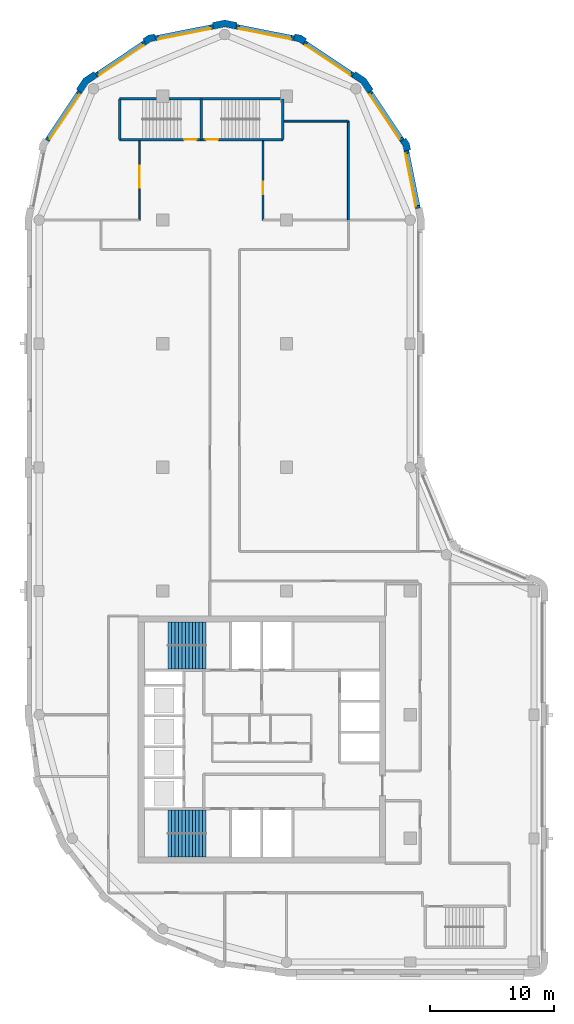
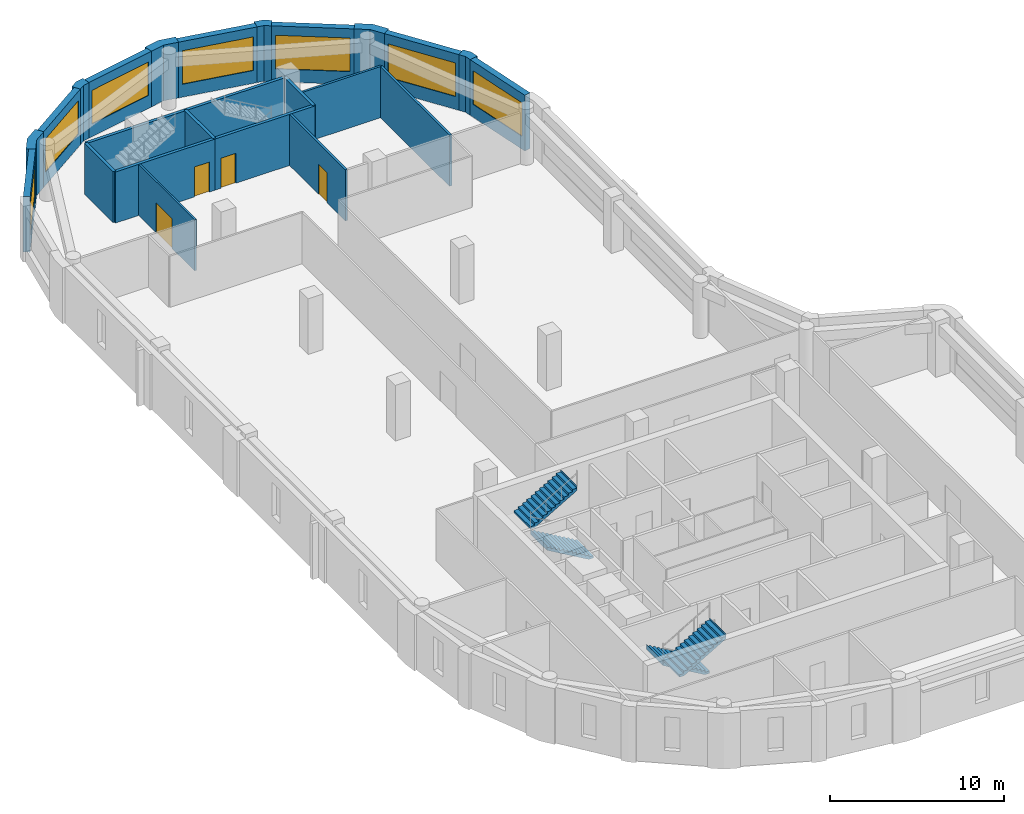
# One storey, part 5 of 8: 24 walls, 7 windows, 4 doors, 4 stair flights, 11 openings, 2 elements without a shape of their own.
"""IFC4 building model written with IfcOpenShell, lengths in metres."""

from ifc_helpers import new_model, si_unit, direction, frame, frame_2d, origin, place, context, subcontext, project, spatial, polyline, rectangle, outline, extrude, material, layer, layer_set, type_object, element, fill, aggregate, save


model = new_model("IFC4")

# Units and contexts
model_context = context("Model", 3, precision=1e-05, world=origin(), true_north=direction((0.0, 1.0)))
body_context = subcontext(model_context, "Body", "Model", "MODEL_VIEW")
ifc_project = project(units=[si_unit("LENGTHUNIT", "METRE"), si_unit("AREAUNIT", "SQUARE_METRE"), si_unit("VOLUMEUNIT", "CUBIC_METRE"), si_unit("PLANEANGLEUNIT", "RADIAN"), si_unit("MASSUNIT", "GRAM", prefix="KILO")], contexts=[model_context])

# Site, building, storey
site_placement = place(None, origin())
site = spatial("IfcSite", under=ifc_project, at=site_placement, CompositionType="ELEMENT")
building_placement = place(site_placement, origin())
building = spatial("IfcBuilding", under=site, at=building_placement, Name="Qaws Garden Tower", CompositionType="ELEMENT")
storey_placement = place(building_placement, frame((0.0, 0.0, 286.5)))
storey = spatial("IfcBuildingStorey", under=building, at=storey_placement, Name="L69", CompositionType="ELEMENT", Elevation=286.5)

# Wall, opening, window
ifc_material_1 = material(Name="Clay facing brick masonry", Category="masonry")
ifc_layer_1 = layer(ifc_material_1, 0.39990234375)
ifc_layer_set_1 = layer_set([ifc_layer_1], Name="Clay facing brick masonry")
wall_type_1 = type_object("IfcWallType", Name="Brick infill wall 400", PredefinedType="SOLIDWALL", material=ifc_layer_set_1)
wall_1_placement = place(storey_placement, frame((30.628662109375, 60.940673828125, 0.0), z_axis=(0.0, 0.0, 1.0), x_axis=(-0.195098533057, 0.98078364709, 0.0)))
wall_1 = element("IfcWall", 1, at=wall_1_placement, inside=storey, type_object=wall_type_1, Name="E-L69-infill-09", PredefinedType="SOLIDWALL", context=body_context, shape_type="SweptSolid", body=[
    extrude(rectangle(XDim=4.752685546875, YDim=0.39990234375, at=frame_2d((2.37646484375, 0.0))), origin(), (0.0, 0.0, 1.0), 3.89990234375),
])
opening_1_placement = place(wall_1_placement, frame((0.226318359375, 0.0, 0.89990234375)))
opening_1 = element("IfcOpeningElement", 2, at=opening_1_placement, cuts=wall_1, Name="Opening W06", PredefinedType="OPENING", context=body_context, shape_type="SweptSolid", body=[
    extrude(rectangle(XDim=4.300048828125, YDim=2.35009765625, at=frame_2d((2.14990234375, 1.175048828125))), frame((0.0, 0.2099609375, 0.0), z_axis=(0.0, -1.0, 0.0), x_axis=(1.0, 0.0, 0.0)), (0.0, 0.0, 1.0), 0.419921875),
])
ifc_material_2 = material(Name="Aluminium framed window, clear glazing", Category="aluminium")
window_type = type_object("IfcWindowType", Name="Ribbon window 4300 x 2350", PartitioningType="DOUBLE_PANEL_VERTICAL", PredefinedType="WINDOW", material=ifc_material_2)
window_1_placement = place(opening_1_placement, origin())
window_1 = element("IfcWindow", 3, at=window_1_placement, inside=storey, type_object=window_type, Name="E-L69-window-09-0", OverallHeight=2.35009765625, OverallWidth=4.300048828125, PartitioningType="SINGLE_PANEL", PredefinedType="WINDOW", context=body_context, shape_type="SweptSolid", body=[
    extrude(rectangle(XDim=4.300048828125, YDim=2.35009765625, at=frame_2d((2.14990234375, 1.175048828125))), frame((0.0, 0.159912109375, 0.0), z_axis=(0.0, -1.0, 0.0), x_axis=(1.0, 0.0, 0.0)), (0.0, 0.0, 1.0), 0.06005859375),
])
fill(opening_1, window_1)

wall_2_placement = place(storey_placement, frame((29.356689453125, 66.43408203125, 0.0), z_axis=(0.0, 0.0, 1.0), x_axis=(-0.555541552266, 0.831488775454, 0.0)))
wall_2 = element("IfcWall", 4, at=wall_2_placement, inside=storey, type_object=wall_type_1, Name="E-L69-infill-10", PredefinedType="SOLIDWALL", context=body_context, shape_type="SweptSolid", body=[
    extrude(rectangle(XDim=4.752685546875, YDim=0.39990234375, at=frame_2d((2.37646484375, 0.0))), origin(), (0.0, 0.0, 1.0), 3.89990234375),
])
opening_2_placement = place(wall_2_placement, frame((0.226318359375, 0.0, 0.89990234375)))
opening_2 = element("IfcOpeningElement", 5, at=opening_2_placement, cuts=wall_2, Name="Opening W06", PredefinedType="OPENING", context=body_context, shape_type="SweptSolid", body=[
    extrude(rectangle(XDim=4.300048828125, YDim=2.35009765625, at=frame_2d((2.14990234375, 1.175048828125))), frame((0.0, 0.2099609375, 0.0), z_axis=(0.0, -1.0, 0.0), x_axis=(1.0, 0.0, 0.0)), (0.0, 0.0, 1.0), 0.419921875),
])
window_2_placement = place(opening_2_placement, origin())
window_2 = element("IfcWindow", 6, at=window_2_placement, inside=storey, type_object=window_type, Name="E-L69-window-10-0", OverallHeight=2.35009765625, OverallWidth=4.300048828125, PartitioningType="SINGLE_PANEL", PredefinedType="WINDOW", context=body_context, shape_type="SweptSolid", body=[
    extrude(rectangle(XDim=4.300048828125, YDim=2.35009765625, at=frame_2d((2.14990234375, 1.175048828125))), frame((0.0, 0.159912109375, 0.0), z_axis=(0.0, -1.0, 0.0), x_axis=(1.0, 0.0, 0.0)), (0.0, 0.0, 1.0), 0.06005859375),
])
fill(opening_2, window_2)

wall_3_placement = place(storey_placement, frame((25.385986328125, 71.71630859375, 0.0), z_axis=(0.0, 0.0, 1.0), x_axis=(-0.831488775454, 0.555541552266, 0.0)))
wall_3 = element("IfcWall", 7, at=wall_3_placement, inside=storey, type_object=wall_type_1, Name="E-L69-infill-11", PredefinedType="SOLIDWALL", context=body_context, shape_type="SweptSolid", body=[
    extrude(rectangle(XDim=4.752685546875, YDim=0.39990234375, at=frame_2d((2.37646484375, 0.0))), origin(), (0.0, 0.0, 1.0), 3.89990234375),
])
opening_3_placement = place(wall_3_placement, frame((0.226318359375, 0.0, 0.89990234375)))
opening_3 = element("IfcOpeningElement", 8, at=opening_3_placement, cuts=wall_3, Name="Opening W06", PredefinedType="OPENING", context=body_context, shape_type="SweptSolid", body=[
    extrude(rectangle(XDim=4.300048828125, YDim=2.35009765625, at=frame_2d((2.14990234375, 1.175048828125))), frame((0.0, 0.2099609375, 0.0), z_axis=(0.0, -1.0, 0.0), x_axis=(1.0, 0.0, 0.0)), (0.0, 0.0, 1.0), 0.419921875),
])
window_3_placement = place(opening_3_placement, origin())
window_3 = element("IfcWindow", 9, at=window_3_placement, inside=storey, type_object=window_type, Name="E-L69-window-11-0", OverallHeight=2.35009765625, OverallWidth=4.300048828125, PartitioningType="SINGLE_PANEL", PredefinedType="WINDOW", context=body_context, shape_type="SweptSolid", body=[
    extrude(rectangle(XDim=4.300048828125, YDim=2.35009765625, at=frame_2d((2.14990234375, 1.175048828125))), frame((0.0, 0.159912109375, 0.0), z_axis=(0.0, -1.0, 0.0), x_axis=(1.0, 0.0, 0.0)), (0.0, 0.0, 1.0), 0.06005859375),
])
fill(opening_3, window_3)

wall_4_placement = place(storey_placement, frame((20.60205078125, 74.701416015625, 0.0), z_axis=(0.0, 0.0, 1.0), x_axis=(-0.98078364709, 0.195098533057, 0.0)))
wall_4 = element("IfcWall", 10, at=wall_4_placement, inside=storey, type_object=wall_type_1, Name="E-L69-infill-12", PredefinedType="SOLIDWALL", context=body_context, shape_type="SweptSolid", body=[
    extrude(rectangle(XDim=4.752685546875, YDim=0.39990234375, at=frame_2d((2.37646484375, 0.0))), origin(), (0.0, 0.0, 1.0), 3.89990234375),
])
opening_4_placement = place(wall_4_placement, frame((0.226318359375, 0.0, 0.89990234375)))
opening_4 = element("IfcOpeningElement", 11, at=opening_4_placement, cuts=wall_4, Name="Opening W06", PredefinedType="OPENING", context=body_context, shape_type="SweptSolid", body=[
    extrude(rectangle(XDim=4.300048828125, YDim=2.35009765625, at=frame_2d((2.14990234375, 1.175048828125))), frame((0.0, 0.2099609375, 0.0), z_axis=(0.0, -1.0, 0.0), x_axis=(1.0, 0.0, 0.0)), (0.0, 0.0, 1.0), 0.419921875),
])
window_4_placement = place(opening_4_placement, origin())
window_4 = element("IfcWindow", 12, at=window_4_placement, inside=storey, type_object=window_type, Name="E-L69-window-12-0", OverallHeight=2.35009765625, OverallWidth=4.300048828125, PartitioningType="SINGLE_PANEL", PredefinedType="WINDOW", context=body_context, shape_type="SweptSolid", body=[
    extrude(rectangle(XDim=4.300048828125, YDim=2.35009765625, at=frame_2d((2.14990234375, 1.175048828125))), frame((0.0, 0.159912109375, 0.0), z_axis=(0.0, -1.0, 0.0), x_axis=(1.0, 0.0, 0.0)), (0.0, 0.0, 1.0), 0.06005859375),
])
fill(opening_4, window_4)

wall_5_placement = place(storey_placement, frame((14.059326171875, 75.628662109375, 0.0), z_axis=(0.0, 0.0, 1.0), x_axis=(-0.98078364709, -0.195098533057, 0.0)))
wall_5 = element("IfcWall", 13, at=wall_5_placement, inside=storey, type_object=wall_type_1, Name="E-L69-infill-13", PredefinedType="SOLIDWALL", context=body_context, shape_type="SweptSolid", body=[
    extrude(rectangle(XDim=4.752685546875, YDim=0.39990234375, at=frame_2d((2.37646484375, 0.0))), origin(), (0.0, 0.0, 1.0), 3.89990234375),
])
opening_5_placement = place(wall_5_placement, frame((0.226318359375, 0.0, 0.89990234375)))
opening_5 = element("IfcOpeningElement", 14, at=opening_5_placement, cuts=wall_5, Name="Opening W06", PredefinedType="OPENING", context=body_context, shape_type="SweptSolid", body=[
    extrude(rectangle(XDim=4.300048828125, YDim=2.35009765625, at=frame_2d((2.14990234375, 1.175048828125))), frame((0.0, 0.2099609375, 0.0), z_axis=(0.0, -1.0, 0.0), x_axis=(1.0, 0.0, 0.0)), (0.0, 0.0, 1.0), 0.419921875),
])
window_5_placement = place(opening_5_placement, origin())
window_5 = element("IfcWindow", 15, at=window_5_placement, inside=storey, type_object=window_type, Name="E-L69-window-13-0", OverallHeight=2.35009765625, OverallWidth=4.300048828125, PartitioningType="SINGLE_PANEL", PredefinedType="WINDOW", context=body_context, shape_type="SweptSolid", body=[
    extrude(rectangle(XDim=4.300048828125, YDim=2.35009765625, at=frame_2d((2.14990234375, 1.175048828125))), frame((0.0, 0.159912109375, 0.0), z_axis=(0.0, -1.0, 0.0), x_axis=(1.0, 0.0, 0.0)), (0.0, 0.0, 1.0), 0.06005859375),
])
fill(opening_5, window_5)

wall_6_placement = place(storey_placement, frame((8.56591796875, 74.356689453125, 0.0), z_axis=(0.0, 0.0, 1.0), x_axis=(-0.831488775454, -0.555541552266, 0.0)))
wall_6 = element("IfcWall", 16, at=wall_6_placement, inside=storey, type_object=wall_type_1, Name="E-L69-infill-14", PredefinedType="SOLIDWALL", context=body_context, shape_type="SweptSolid", body=[
    extrude(rectangle(XDim=4.752685546875, YDim=0.39990234375, at=frame_2d((2.37646484375, 0.0))), origin(), (0.0, 0.0, 1.0), 3.89990234375),
])
opening_6_placement = place(wall_6_placement, frame((0.226318359375, 0.0, 0.89990234375)))
opening_6 = element("IfcOpeningElement", 17, at=opening_6_placement, cuts=wall_6, Name="Opening W06", PredefinedType="OPENING", context=body_context, shape_type="SweptSolid", body=[
    extrude(rectangle(XDim=4.300048828125, YDim=2.35009765625, at=frame_2d((2.14990234375, 1.175048828125))), frame((0.0, 0.2099609375, 0.0), z_axis=(0.0, -1.0, 0.0), x_axis=(1.0, 0.0, 0.0)), (0.0, 0.0, 1.0), 0.419921875),
])
window_6_placement = place(opening_6_placement, origin())
window_6 = element("IfcWindow", 18, at=window_6_placement, inside=storey, type_object=window_type, Name="E-L69-window-14-0", OverallHeight=2.35009765625, OverallWidth=4.300048828125, PartitioningType="SINGLE_PANEL", PredefinedType="WINDOW", context=body_context, shape_type="SweptSolid", body=[
    extrude(rectangle(XDim=4.300048828125, YDim=2.35009765625, at=frame_2d((2.14990234375, 1.175048828125))), frame((0.0, 0.159912109375, 0.0), z_axis=(0.0, -1.0, 0.0), x_axis=(1.0, 0.0, 0.0)), (0.0, 0.0, 1.0), 0.06005859375),
])
fill(opening_6, window_6)

wall_7_placement = place(storey_placement, frame((3.28369140625, 70.385986328125, 0.0), z_axis=(0.0, 0.0, 1.0), x_axis=(-0.555541552266, -0.831488775454, 0.0)))
wall_7 = element("IfcWall", 19, at=wall_7_placement, inside=storey, type_object=wall_type_1, Name="E-L69-infill-15", PredefinedType="SOLIDWALL", context=body_context, shape_type="SweptSolid", body=[
    extrude(rectangle(XDim=4.752685546875, YDim=0.39990234375, at=frame_2d((2.37646484375, 0.0))), origin(), (0.0, 0.0, 1.0), 3.89990234375),
])
opening_7_placement = place(wall_7_placement, frame((0.226318359375, 0.0, 0.89990234375)))
opening_7 = element("IfcOpeningElement", 20, at=opening_7_placement, cuts=wall_7, Name="Opening W06", PredefinedType="OPENING", context=body_context, shape_type="SweptSolid", body=[
    extrude(rectangle(XDim=4.300048828125, YDim=2.35009765625, at=frame_2d((2.14990234375, 1.175048828125))), frame((0.0, 0.2099609375, 0.0), z_axis=(0.0, -1.0, 0.0), x_axis=(1.0, 0.0, 0.0)), (0.0, 0.0, 1.0), 0.419921875),
])
window_7_placement = place(opening_7_placement, origin())
window_7 = element("IfcWindow", 21, at=window_7_placement, inside=storey, type_object=window_type, Name="E-L69-window-15-0", OverallHeight=2.35009765625, OverallWidth=4.300048828125, PartitioningType="SINGLE_PANEL", PredefinedType="WINDOW", context=body_context, shape_type="SweptSolid", body=[
    extrude(rectangle(XDim=4.300048828125, YDim=2.35009765625, at=frame_2d((2.14990234375, 1.175048828125))), frame((0.0, 0.159912109375, 0.0), z_axis=(0.0, -1.0, 0.0), x_axis=(1.0, 0.0, 0.0)), (0.0, 0.0, 1.0), 0.06005859375),
])
fill(opening_7, window_7)

# Walls
ifc_material_3 = material(Name="Clay facing brick masonry", Category="masonry")
ifc_layer_2 = layer(ifc_material_3, 0.550048828125)
ifc_layer_set_2 = layer_set([ifc_layer_2], Name="Clay facing brick masonry")
wall_type_2 = type_object("IfcWallType", Name="Brick kink pier 550 x 600", PredefinedType="SOLIDWALL", material=ifc_layer_set_2)
placement = place(storey_placement, origin())
element("IfcWall", 22, at=placement, inside=storey, type_object=wall_type_2, Name="E-L69-pier-10", PredefinedType="SOLIDWALL", context=body_context, shape_type="SweptSolid", body=[
    extrude(outline(polyline([(29.8974609375, 65.64111328125), (30.044677734375, 65.67041015625), (29.94140625, 66.18896484375), (29.647705078125, 66.628662109375), (29.52294921875, 66.545166015625), (29.1904296875, 66.322998046875), (29.42333984375, 65.974365234375), (29.505126953125, 65.56298828125), (29.8974609375, 65.64111328125)])), origin(), (0.0, 0.0, 1.0), 3.89990234375),
])
element("IfcWall", 23, at=placement, inside=storey, type_object=wall_type_2, Name="E-L69-pier-12", PredefinedType="SOLIDWALL", context=body_context, shape_type="SweptSolid", body=[
    extrude(outline(polyline([(21.545166015625, 74.52294921875), (21.628662109375, 74.647705078125), (21.18896484375, 74.94140625), (20.67041015625, 75.044677734375), (20.64111328125, 74.8974609375), (20.56298828125, 74.505126953125), (20.974365234375, 74.42333984375), (21.322998046875, 74.1904296875), (21.545166015625, 74.52294921875)])), origin(), (0.0, 0.0, 1.0), 3.89990234375),
])
element("IfcWall", 24, at=placement, inside=storey, type_object=wall_type_2, Name="E-L69-pier-14", PredefinedType="SOLIDWALL", context=body_context, shape_type="SweptSolid", body=[
    extrude(outline(polyline([(9.35888671875, 74.8974609375), (9.32958984375, 75.044677734375), (8.81103515625, 74.94140625), (8.371337890625, 74.647705078125), (8.454833984375, 74.52294921875), (8.677001953125, 74.1904296875), (9.025634765625, 74.42333984375), (9.43701171875, 74.505126953125), (9.35888671875, 74.8974609375)])), origin(), (0.0, 0.0, 1.0), 3.89990234375),
])
ifc_material_4 = material(Name="Clay facing brick masonry", Category="masonry")
ifc_layer_3 = layer(ifc_material_4, 0.550048828125)
ifc_layer_set_3 = layer_set([ifc_layer_3], Name="Clay facing brick masonry")
wall_type_3 = type_object("IfcWallType", Name="Brick pier 550 x 1600", PredefinedType="SOLIDWALL", material=ifc_layer_set_3)
element("IfcWall", 25, at=placement, inside=storey, type_object=wall_type_3, Name="E-L69-pier-11", PredefinedType="SOLIDWALL", context=body_context, shape_type="SweptSolid", body=[
    extrude(outline(polyline([(26.882568359375, 70.4970703125), (27.00732421875, 70.580322265625), (26.435791015625, 71.435791015625), (25.580322265625, 72.00732421875), (25.4970703125, 71.882568359375), (25.274658203125, 71.550048828125), (26.0390625, 71.0390625), (26.550048828125, 70.274658203125), (26.882568359375, 70.4970703125)])), origin(), (0.0, 0.0, 1.0), 3.89990234375),
])
element("IfcWall", 26, at=placement, inside=storey, type_object=wall_type_3, Name="E-L69-pier-13", PredefinedType="SOLIDWALL", context=body_context, shape_type="SweptSolid", body=[
    extrude(outline(polyline([(15.979736328125, 75.82470703125), (16.009033203125, 75.971923828125), (15.0, 76.172607421875), (13.990966796875, 75.971923828125), (14.020263671875, 75.82470703125), (14.098388671875, 75.432373046875), (15.0, 75.61181640625), (15.901611328125, 75.432373046875), (15.979736328125, 75.82470703125)])), origin(), (0.0, 0.0, 1.0), 3.89990234375),
])
element("IfcWall", 27, at=placement, inside=storey, type_object=wall_type_3, Name="E-L69-pier-15", PredefinedType="SOLIDWALL", context=body_context, shape_type="SweptSolid", body=[
    extrude(outline(polyline([(4.5029296875, 71.882568359375), (4.419677734375, 72.00732421875), (3.564208984375, 71.435791015625), (2.99267578125, 70.580322265625), (3.117431640625, 70.4970703125), (3.449951171875, 70.274658203125), (3.9609375, 71.0390625), (4.725341796875, 71.550048828125), (4.5029296875, 71.882568359375)])), origin(), (0.0, 0.0, 1.0), 3.89990234375),
])

# Wall, opening, door
ifc_material_5 = material(Name="Concrete C60", Category="concrete")
ifc_layer_4 = layer(ifc_material_5, 0.199951171875)
ifc_layer_set_4 = layer_set([ifc_layer_4], Name="Concrete C60")
wall_type_4 = type_object("IfcWallType", Name="Core shaft wall 200 C60", PredefinedType="SHEAR", material=ifc_layer_set_4)
wall_14_placement = place(storey_placement, frame((6.5, 66.5, 0.0), z_axis=(0.0, 0.0, 1.0), x_axis=(1.0, 0.0, 0.0)))
wall_14 = element("IfcWall", 28, at=wall_14_placement, inside=storey, type_object=wall_type_4, Name="Shaft wall", PredefinedType="SHEAR", context=body_context, shape_type="SweptSolid", body=[
    extrude(rectangle(XDim=6.60009765625, YDim=0.199951171875, at=frame_2d((3.300048828125, 0.0))), origin(), (0.0, 0.0, 1.0), 3.580078125),
])
opening_8_placement = place(wall_14_placement, frame((5.22509765625, 0.0, 0.0)))
opening_8 = element("IfcOpeningElement", 29, at=opening_8_placement, cuts=wall_14, Name="Opening SD13", PredefinedType="OPENING", context=body_context, shape_type="SweptSolid", body=[
    extrude(rectangle(XDim=1.0, YDim=2.10009765625, at=frame_2d((0.5, 1.050048828125))), frame((0.0, 0.10986328125, 0.0), z_axis=(0.0, -1.0, 0.0), x_axis=(1.0, 0.0, 0.0)), (0.0, 0.0, 1.0), 0.219970703125),
])
ifc_material_6 = material(Name="Steel S235", Category="steel")
door_type_1 = type_object("IfcDoorType", Name="Stair door 1000x2100", OperationType="SINGLE_SWING_RIGHT", PredefinedType="DOOR", material=ifc_material_6)
door_1_placement = place(opening_8_placement, origin())
door_1 = element("IfcDoor", 30, at=door_1_placement, inside=storey, type_object=door_type_1, Name="Stair 6 door", OperationType="SINGLE_SWING_RIGHT", OverallHeight=2.10009765625, OverallWidth=1.0, PredefinedType="DOOR", context=body_context, shape_type="SweptSolid", body=[
    extrude(rectangle(XDim=1.0, YDim=2.10009765625, at=frame_2d((0.5, 1.050048828125))), frame((0.0, 0.02490234375, 0.0), z_axis=(0.0, -1.0, 0.0), x_axis=(1.0, 0.0, 0.0)), (0.0, 0.0, 1.0), 0.050048828125),
])
fill(opening_8, door_1)

wall_15_placement = place(storey_placement, frame((13.10009765625, 66.5, 0.0), z_axis=(0.0, 0.0, 1.0), x_axis=(1.0, 0.0, 0.0)))
wall_15 = element("IfcWall", 31, at=wall_15_placement, inside=storey, type_object=wall_type_4, Name="Shaft wall", PredefinedType="SHEAR", context=body_context, shape_type="SweptSolid", body=[
    extrude(rectangle(XDim=6.599853515625, YDim=0.199951171875, at=frame_2d((3.2998046875, 0.0))), origin(), (0.0, 0.0, 1.0), 3.580078125),
])
opening_9_placement = place(wall_15_placement, frame((0.375, 0.0, 0.0)))
opening_9 = element("IfcOpeningElement", 32, at=opening_9_placement, cuts=wall_15, Name="Opening SD14", PredefinedType="OPENING", context=body_context, shape_type="SweptSolid", body=[
    extrude(rectangle(XDim=1.0, YDim=2.10009765625, at=frame_2d((0.5, 1.050048828125))), frame((0.0, 0.10986328125, 0.0), z_axis=(0.0, -1.0, 0.0), x_axis=(1.0, 0.0, 0.0)), (0.0, 0.0, 1.0), 0.219970703125),
])
door_2_placement = place(opening_9_placement, origin())
door_2 = element("IfcDoor", 33, at=door_2_placement, inside=storey, type_object=door_type_1, Name="Stair 7 door", OperationType="SINGLE_SWING_LEFT", OverallHeight=2.10009765625, OverallWidth=1.0, PredefinedType="DOOR", context=body_context, shape_type="SweptSolid", body=[
    extrude(rectangle(XDim=1.0, YDim=2.10009765625, at=frame_2d((0.5, 1.050048828125))), frame((0.0, 0.02490234375, 0.0), z_axis=(0.0, -1.0, 0.0), x_axis=(1.0, 0.0, 0.0)), (0.0, 0.0, 1.0), 0.050048828125),
])
fill(opening_9, door_2)

# Walls
wall_16_placement = place(storey_placement, frame((6.5, 69.800048828125, 0.0), z_axis=(0.0, 0.0, 1.0), x_axis=(1.0, 0.0, 0.0)))
element("IfcWall", 34, at=wall_16_placement, inside=storey, type_object=wall_type_4, Name="Shaft wall", PredefinedType="SHEAR", context=body_context, shape_type="SweptSolid", body=[
    extrude(rectangle(XDim=6.60009765625, YDim=0.199951171875, at=frame_2d((3.300048828125, 0.0))), origin(), (0.0, 0.0, 1.0), 3.580078125),
])
wall_17_placement = place(storey_placement, frame((13.10009765625, 69.800048828125, 0.0), z_axis=(0.0, 0.0, 1.0), x_axis=(1.0, 0.0, 0.0)))
element("IfcWall", 35, at=wall_17_placement, inside=storey, type_object=wall_type_4, Name="Shaft wall", PredefinedType="SHEAR", context=body_context, shape_type="SweptSolid", body=[
    extrude(rectangle(XDim=6.599853515625, YDim=0.199951171875, at=frame_2d((3.2998046875, 0.0))), origin(), (0.0, 0.0, 1.0), 3.580078125),
])
for number, where, z_axis, x_axis, name in (
    (36, (6.5, 66.5, 0.0), (0.0, 0.0, 1.0), (0.0, 1.0, 0.0), "Shaft wall"),
    (37, (13.10009765625, 66.5, 0.0), (0.0, 0.0, 1.0), (0.0, 1.0, 0.0), "Shaft wall"),
    (38, (19.699951171875, 66.5, 0.0), (0.0, 0.0, 1.0), (0.0, 1.0, 0.0), "Shaft wall"),
):
    element("IfcWall", number, at=place(storey_placement, frame(where, z_axis=z_axis, x_axis=x_axis)), inside=storey, type_object=wall_type_4, Name=name, PredefinedType="SHEAR", context=body_context, shape_type="SweptSolid", body=[
        extrude(rectangle(XDim=3.300048828125, YDim=0.199951171875, at=frame_2d((1.64990234375, 0.0))), origin(), (0.0, 0.0, 1.0), 3.580078125),
    ])

# Wall, opening, door
ifc_material_7 = material(Name="Glass and aluminium framing", Category="aluminium")
ifc_layer_5 = layer(ifc_material_7, 0.1201171875)
ifc_layer_set_5 = layer_set([ifc_layer_5], Name="Glass and aluminium framing")
wall_type_5 = type_object("IfcWallType", Name="GLAZED PARTITION 120 EI 30", PredefinedType="PARTITIONING", material=ifc_layer_set_5)
wall_18_placement = place(storey_placement, frame((8.10009765625, 60.0, 0.0), z_axis=(0.0, 0.0, 1.0), x_axis=(0.0, 1.0, 0.0)))
wall_18 = element("IfcWall", 39, at=wall_18_placement, inside=storey, type_object=wall_type_5, Name="O-L69-wall-029", PredefinedType="PARTITIONING", context=body_context, shape_type="SweptSolid", body=[
    extrude(rectangle(XDim=6.39990234375, YDim=0.1201171875, at=frame_2d((3.199951171875, 0.0))), origin(), (0.0, 0.0, 1.0), 3.580078125),
])
opening_10_placement = place(wall_18_placement, frame((2.60009765625, 0.0, 0.0)))
opening_10 = element("IfcOpeningElement", 40, at=opening_10_placement, cuts=wall_18, Name="Opening C4B13", PredefinedType="OPENING", context=body_context, shape_type="SweptSolid", body=[
    extrude(rectangle(XDim=1.800048828125, YDim=2.10009765625, at=frame_2d((0.89990234375, 1.050048828125))), frame((0.0, 0.070068359375, 0.0), z_axis=(0.0, -1.0, 0.0), x_axis=(1.0, 0.0, 0.0)), (0.0, 0.0, 1.0), 0.14013671875),
])
ifc_material_8 = material(Name="Timber door leaf", Category="wood")
door_type_2 = type_object("IfcDoorType", Name="DOUBLE DOOR 1800 X 2100", OperationType="DOUBLE_DOOR_SINGLE_SWING", PredefinedType="DOOR", material=ifc_material_8)
door_3_placement = place(opening_10_placement, origin())
door_3 = element("IfcDoor", 41, at=door_3_placement, inside=storey, type_object=door_type_2, Name="O-L69-door-013", OperationType="DOUBLE_DOOR_SINGLE_SWING", OverallHeight=2.10009765625, OverallWidth=1.800048828125, PredefinedType="DOOR", context=body_context, shape_type="SweptSolid", body=[
    extrude(rectangle(XDim=1.800048828125, YDim=2.10009765625, at=frame_2d((0.89990234375, 1.050048828125))), frame((0.0, 0.02490234375, 0.0), z_axis=(0.0, -1.0, 0.0), x_axis=(1.0, 0.0, 0.0)), (0.0, 0.0, 1.0), 0.050048828125),
])
fill(opening_10, door_3)

ifc_material_9 = material(Name="Gypsum board partition")
ifc_layer_6 = layer(ifc_material_9, 0.14990234375)
ifc_layer_set_6 = layer_set([ifc_layer_6], Name="Gypsum board partition")
wall_type_6 = type_object("IfcWallType", Name="PARTITION 150 EI 60", PredefinedType="PARTITIONING", material=ifc_layer_set_6)
wall_19_placement = place(storey_placement, frame((18.10009765625, 60.0, 0.0), z_axis=(0.0, 0.0, 1.0), x_axis=(0.0, 1.0, 0.0)))
wall_19 = element("IfcWall", 42, at=wall_19_placement, inside=storey, type_object=wall_type_6, Name="O-L69-wall-004", PredefinedType="PARTITIONING", context=body_context, shape_type="SweptSolid", body=[
    extrude(rectangle(XDim=6.39990234375, YDim=0.14990234375, at=frame_2d((3.199951171875, 0.0))), origin(), (0.0, 0.0, 1.0), 3.580078125),
])
opening_11_placement = place(wall_19_placement, frame((2.10009765625, 0.0, 0.0)))
opening_11 = element("IfcOpeningElement", 43, at=opening_11_placement, cuts=wall_19, Name="Opening C4B03", PredefinedType="OPENING", context=body_context, shape_type="SweptSolid", body=[
    extrude(rectangle(XDim=1.0, YDim=2.10009765625, at=frame_2d((0.5, 1.050048828125))), frame((0.0, 0.0849609375, 0.0), z_axis=(0.0, -1.0, 0.0), x_axis=(1.0, 0.0, 0.0)), (0.0, 0.0, 1.0), 0.169921875),
])
ifc_material_10 = material(Name="Timber door leaf", Category="wood")
door_type_3 = type_object("IfcDoorType", Name="TENANCY ENTRANCE DOOR 1000 X 2100", OperationType="SINGLE_SWING_LEFT", PredefinedType="DOOR", material=ifc_material_10)
door_4_placement = place(opening_11_placement, frame((1.0, 0.0, 0.0), z_axis=(0.0, 0.0, 1.0), x_axis=(-1.0, 0.0, 0.0)))
door_4 = element("IfcDoor", 44, at=door_4_placement, inside=storey, type_object=door_type_3, Name="O-L69-door-003", OperationType="SINGLE_SWING_RIGHT", OverallHeight=2.10009765625, OverallWidth=1.0, PredefinedType="DOOR", context=body_context, shape_type="SweptSolid", body=[
    extrude(rectangle(XDim=1.0, YDim=2.10009765625, at=frame_2d((0.5, 1.050048828125))), frame((0.0, 0.02490234375, 0.0), z_axis=(0.0, -1.0, 0.0), x_axis=(1.0, 0.0, 0.0)), (0.0, 0.0, 1.0), 0.050048828125),
])
fill(opening_11, door_4)

# Walls
wall_20_placement = place(storey_placement, frame((25.0, 60.0, 0.0), z_axis=(0.0, 0.0, 1.0), x_axis=(0.0, 1.0, 0.0)))
element("IfcWall", 45, at=wall_20_placement, inside=storey, type_object=wall_type_6, Name="O-L69-wall-006", PredefinedType="PARTITIONING", context=body_context, shape_type="SweptSolid", body=[
    extrude(rectangle(XDim=8.0, YDim=0.14990234375, at=frame_2d((4.0, 0.0))), origin(), (0.0, 0.0, 1.0), 3.580078125),
])
wall_21_placement = place(storey_placement, frame((19.800048828125, 68.0, 0.0), z_axis=(0.0, 0.0, 1.0), x_axis=(1.0, 0.0, 0.0)))
element("IfcWall", 46, at=wall_21_placement, inside=storey, type_object=wall_type_6, Name="O-L69-wall-026", PredefinedType="PARTITIONING", context=body_context, shape_type="SweptSolid", body=[
    extrude(rectangle(XDim=5.199951171875, YDim=0.14990234375, at=frame_2d((2.60009765625, 0.0))), origin(), (0.0, 0.0, 1.0), 3.580078125),
])

# Stair, stair flights
ifc_material_11 = material(Name="Concrete C40", Category="concrete")
stair_type = type_object("IfcStairType", Name="Exit stair 1500", PredefinedType="HALF_TURN_STAIR", material=ifc_material_11)
stair_1 = element("IfcStair", 47, at=placement, inside=storey, type_object=stair_type, Name="Stair 1", PredefinedType="HALF_TURN_STAIR")
ifc_material_12 = material(Name="Concrete C40", Category="concrete")
stair_flight_type = type_object("IfcStairFlightType", Name="Stair flight 1500", PredefinedType="STRAIGHT", material=ifc_material_12)
stair_flight_1_placement = place(storey_placement, frame((13.5, 11.35009765625, 0.0), z_axis=(0.0, 0.0, 1.0), x_axis=(-1.0, 0.0, 0.0)))
stair_flight_1 = element("IfcStairFlight", 48, at=stair_flight_1_placement, type_object=stair_flight_type, Name="ST1 flight 1", NumberOfRisers=12, NumberOfTreads=11, PredefinedType="STRAIGHT", RiserHeight=0.1625, TreadLength=0.28, context=body_context, shape_type="SweptSolid", body=[
    extrude(outline(polyline([(-0.0029296875, 0.0), (-0.0029296875, 0.16259765625), (0.0, 0.16259765625), (0.280029296875, 0.16259765625), (0.280029296875, 0.324951171875), (0.56005859375, 0.324951171875), (0.56005859375, 0.487548828125), (0.840087890625, 0.487548828125), (0.840087890625, 0.64990234375), (1.1201171875, 0.64990234375), (1.1201171875, 0.8125), (1.39990234375, 0.8125), (1.39990234375, 0.97509765625), (1.679931640625, 0.97509765625), (1.679931640625, 1.137451171875), (1.9599609375, 1.137451171875), (1.9599609375, 1.300048828125), (2.239990234375, 1.300048828125), (2.239990234375, 1.46240234375), (2.52001953125, 1.46240234375), (2.52001953125, 1.625), (2.800048828125, 1.625), (2.800048828125, 1.78759765625), (3.080078125, 1.78759765625), (3.080078125, 1.949951171875), (3.0830078125, 1.949951171875), (3.0830078125, 1.6142578125), (3.080078125, 1.6142578125), (0.298583984375, 0.0), (-0.0029296875, 0.0)])), frame((0.0, 0.949951171875, 0.0), z_axis=(0.0, -1.0, 0.0), x_axis=(1.0, 0.0, 0.0)), (0.0, 0.0, 1.0), 1.89990234375),
])
stair_flight_2_placement = place(storey_placement, frame((10.419921875, 9.449951171875, 1.949951171875), z_axis=(0.0, 0.0, 1.0), x_axis=(1.0, 0.0, 0.0)))
stair_flight_2 = element("IfcStairFlight", 49, at=stair_flight_2_placement, type_object=stair_flight_type, Name="ST1 flight 2", NumberOfRisers=12, NumberOfTreads=11, PredefinedType="STRAIGHT", RiserHeight=0.1625, TreadLength=0.28, context=body_context, shape_type="SweptSolid", body=[
    extrude(outline(polyline([(-0.0029296875, 0.0), (-0.0029296875, 0.16259765625), (0.0, 0.16259765625), (0.280029296875, 0.16259765625), (0.280029296875, 0.324951171875), (0.56005859375, 0.324951171875), (0.56005859375, 0.487548828125), (0.840087890625, 0.487548828125), (0.840087890625, 0.64990234375), (1.1201171875, 0.64990234375), (1.1201171875, 0.8125), (1.39990234375, 0.8125), (1.39990234375, 0.97509765625), (1.679931640625, 0.97509765625), (1.679931640625, 1.137451171875), (1.9599609375, 1.137451171875), (1.9599609375, 1.300048828125), (2.239990234375, 1.300048828125), (2.239990234375, 1.46240234375), (2.52001953125, 1.46240234375), (2.52001953125, 1.625), (2.800048828125, 1.625), (2.800048828125, 1.78759765625), (3.080078125, 1.78759765625), (3.080078125, 1.949951171875), (3.0830078125, 1.949951171875), (3.0830078125, 1.6142578125), (3.080078125, 1.6142578125), (0.298583984375, 0.0), (-0.0029296875, 0.0)])), frame((0.0, 0.949951171875, 0.0), z_axis=(0.0, -1.0, 0.0), x_axis=(1.0, 0.0, 0.0)), (0.0, 0.0, 1.0), 1.89990234375),
])
aggregate(stair_1, [stair_flight_1, stair_flight_2])

stair_2 = element("IfcStair", 50, at=placement, inside=storey, type_object=stair_type, Name="Stair 4", PredefinedType="HALF_TURN_STAIR")
stair_flight_3_placement = place(storey_placement, frame((13.5, 24.64990234375, 0.0), z_axis=(0.0, 0.0, 1.0), x_axis=(-1.0, 0.0, 0.0)))
stair_flight_3 = element("IfcStairFlight", 51, at=stair_flight_3_placement, type_object=stair_flight_type, Name="ST4 flight 1", NumberOfRisers=12, NumberOfTreads=11, PredefinedType="STRAIGHT", RiserHeight=0.1625, TreadLength=0.28, context=body_context, shape_type="SweptSolid", body=[
    extrude(outline(polyline([(-0.0029296875, 0.0), (-0.0029296875, 0.16259765625), (0.0, 0.16259765625), (0.280029296875, 0.16259765625), (0.280029296875, 0.324951171875), (0.56005859375, 0.324951171875), (0.56005859375, 0.487548828125), (0.840087890625, 0.487548828125), (0.840087890625, 0.64990234375), (1.1201171875, 0.64990234375), (1.1201171875, 0.8125), (1.39990234375, 0.8125), (1.39990234375, 0.97509765625), (1.679931640625, 0.97509765625), (1.679931640625, 1.137451171875), (1.9599609375, 1.137451171875), (1.9599609375, 1.300048828125), (2.239990234375, 1.300048828125), (2.239990234375, 1.46240234375), (2.52001953125, 1.46240234375), (2.52001953125, 1.625), (2.800048828125, 1.625), (2.800048828125, 1.78759765625), (3.080078125, 1.78759765625), (3.080078125, 1.949951171875), (3.0830078125, 1.949951171875), (3.0830078125, 1.6142578125), (3.080078125, 1.6142578125), (0.298583984375, 0.0), (-0.0029296875, 0.0)])), frame((0.0, 0.94482421875, 0.0), z_axis=(0.0, -1.0, 0.0), x_axis=(1.0, 0.0, 0.0)), (0.0, 0.0, 1.0), 1.889892578125),
])
stair_flight_4_placement = place(storey_placement, frame((10.419921875, 26.550048828125, 1.949951171875), z_axis=(0.0, 0.0, 1.0), x_axis=(1.0, 0.0, 0.0)))
stair_flight_4 = element("IfcStairFlight", 52, at=stair_flight_4_placement, type_object=stair_flight_type, Name="ST4 flight 2", NumberOfRisers=12, NumberOfTreads=11, PredefinedType="STRAIGHT", RiserHeight=0.1625, TreadLength=0.28, context=body_context, shape_type="SweptSolid", body=[
    extrude(outline(polyline([(-0.0029296875, 0.0), (-0.0029296875, 0.16259765625), (0.0, 0.16259765625), (0.280029296875, 0.16259765625), (0.280029296875, 0.324951171875), (0.56005859375, 0.324951171875), (0.56005859375, 0.487548828125), (0.840087890625, 0.487548828125), (0.840087890625, 0.64990234375), (1.1201171875, 0.64990234375), (1.1201171875, 0.8125), (1.39990234375, 0.8125), (1.39990234375, 0.97509765625), (1.679931640625, 0.97509765625), (1.679931640625, 1.137451171875), (1.9599609375, 1.137451171875), (1.9599609375, 1.300048828125), (2.239990234375, 1.300048828125), (2.239990234375, 1.46240234375), (2.52001953125, 1.46240234375), (2.52001953125, 1.625), (2.800048828125, 1.625), (2.800048828125, 1.78759765625), (3.080078125, 1.78759765625), (3.080078125, 1.949951171875), (3.0830078125, 1.949951171875), (3.0830078125, 1.6142578125), (3.080078125, 1.6142578125), (0.298583984375, 0.0), (-0.0029296875, 0.0)])), frame((0.0, 0.94482421875, 0.0), z_axis=(0.0, -1.0, 0.0), x_axis=(1.0, 0.0, 0.0)), (0.0, 0.0, 1.0), 1.889892578125),
])
aggregate(stair_2, [stair_flight_3, stair_flight_4])

save(model, "model.ifc")
